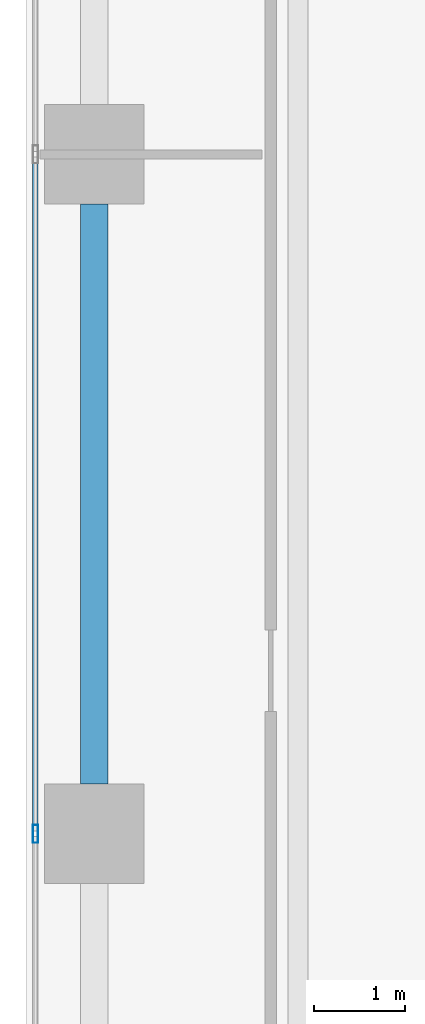
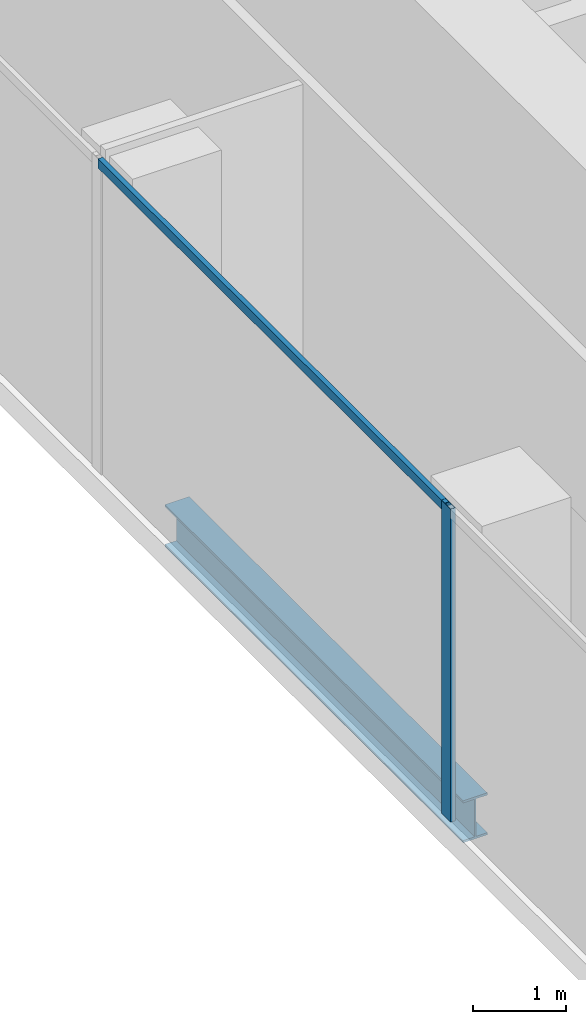
# One storey, part 4 of 34: 2 members, 1 beam, 1 element without a shape of its own.
"""IFC4 building model written with IfcOpenShell, lengths in metres."""

from ifc_helpers import new_model, si_unit, direction, frame, origin, origin_2d, place, context, subcontext, project, spatial, hollow_rectangle, i_section, extrude, source, transform, mapped, material, material_profile, profile_set, type_object, element, aggregate, save


model = new_model("IFC4")

# Units and contexts
model_context = context("Model", 3, precision=1e-05, world=origin(), true_north=direction((0.0, 1.0)))
body_context = subcontext(model_context, "Body", "Model", "MODEL_VIEW")
ifc_project = project(units=[si_unit("LENGTHUNIT", "METRE"), si_unit("AREAUNIT", "SQUARE_METRE"), si_unit("VOLUMEUNIT", "CUBIC_METRE"), si_unit("PLANEANGLEUNIT", "RADIAN"), si_unit("MASSUNIT", "GRAM", prefix="KILO")], contexts=[model_context])

# Site, building, storey
site_placement = place(None, origin())
site = spatial("IfcSite", under=ifc_project, at=site_placement, CompositionType="ELEMENT")
building_placement = place(site_placement, origin())
building = spatial("IfcBuilding", under=site, at=building_placement, Name="Khomas Fold Tower", CompositionType="ELEMENT")
storey_placement = place(building_placement, frame((0.0, 0.0, 110.300048828125)))
storey = spatial("IfcBuildingStorey", under=building, at=storey_placement, Name="L23", CompositionType="ELEMENT", Elevation=110.300048828125)

# Beam
ifc_material_1 = material(Name="Steel S355", Category="steel")
ifc_material_profile_1 = material_profile(ifc_material_1, i_section(OverallWidth=0.300048828125, OverallDepth=0.550048828125, WebThickness=0.014892578125, FlangeThickness=0.029052734375, at=origin_2d()), Name="HE 550 B")
ifc_profile_set_1 = profile_set([ifc_material_profile_1], Name="Steel S355")
beam_type = type_object("IfcBeamType", Name="HE 550 B spandrel SB2", PredefinedType="SPANDREL", material=ifc_profile_set_1)
shared_shape_1 = source(origin(), body_context, "Body", "SweptSolid", [
    extrude(i_section(OverallWidth=0.300048828125, OverallDepth=0.550048828125, WebThickness=0.014892578125, FlangeThickness=0.029052734375, at=origin_2d()), origin(), (0.0, 0.0, 1.0), 6.39990234375),
])
beam_placement = place(storey_placement, frame((2.25, 12.550048828125, -0.574951171875), z_axis=(0.0, 1.0, 0.0), x_axis=(-1.0, 0.0, 0.0)))
element("IfcBeam", 1, at=beam_placement, inside=storey, type_object=beam_type, Name="SB2", PredefinedType="SPANDREL", context=body_context, shape_type="MappedRepresentation", body=[
    mapped(shared_shape_1, transform((0.0, 0.0, 0.0))),
])

# Curtain wall, members
ifc_material_2 = material(Name="Aluminium framed double glazing", Category="aluminium")
curtain_wall_type = type_object("IfcCurtainWallType", Name="SK-Unitised clear-glass wall, growing floors CW1", PredefinedType="NOTDEFINED", material=ifc_material_2)
curtain_wall_placement = place(storey_placement, origin())
curtain_wall = element("IfcCurtainWall", 2, at=curtain_wall_placement, inside=storey, type_object=curtain_wall_type, Name="CW1 run L23 09-0", PredefinedType="NOTDEFINED")
ifc_material_3 = material(Name="Aluminium", Category="aluminium")
ifc_material_profile_2 = material_profile(ifc_material_3, hollow_rectangle(XDim=0.06005859375, YDim=0.1201171875, WallThickness=0.00390625, at=origin_2d()), Name="SK-Unitised clear-glass wall, growing floors transom CW1-T")
ifc_profile_set_2 = profile_set([ifc_material_profile_2], Name="Aluminium")
member_type_1 = type_object("IfcMemberType", Name="SK-Unitised clear-glass wall, growing floors transom CW1-T", PredefinedType="USERDEFINED", material=ifc_profile_set_2)
shared_shape_2 = source(origin(), body_context, "Body", "SweptSolid", [
    extrude(hollow_rectangle(XDim=0.06005859375, YDim=0.1201171875, WallThickness=0.00390625, at=origin_2d()), origin(), (0.0, 0.0, 1.0), 7.43994140625),
])
member_1_placement = place(storey_placement, frame((1.60009765625, 19.469970703125, 4.0400390625), z_axis=(0.0, -1.0, 0.0), x_axis=(1.0, 0.0, 0.0)))
member_1 = element("IfcMember", 3, at=member_1_placement, type_object=member_type_1, Name="CW1 transom 6", ObjectType="TRANSOM", PredefinedType="USERDEFINED", context=body_context, shape_type="MappedRepresentation", body=[
    mapped(shared_shape_2, transform((0.0, 0.0, 0.0))),
])
ifc_material_4 = material(Name="Aluminium", Category="aluminium")
ifc_material_profile_3 = material_profile(ifc_material_4, hollow_rectangle(XDim=0.06005859375, YDim=0.199951171875, WallThickness=0.00390625, at=origin_2d()), Name="SK-Unitised clear-glass wall, growing floors mullion CW1-M")
ifc_profile_set_3 = profile_set([ifc_material_profile_3], Name="Aluminium")
member_type_2 = type_object("IfcMemberType", Name="SK-Unitised clear-glass wall, growing floors mullion CW1-M", PredefinedType="MULLION", material=ifc_profile_set_3)
shared_shape_3 = source(origin(), body_context, "Body", "SweptSolid", [
    extrude(hollow_rectangle(XDim=0.06005859375, YDim=0.199951171875, WallThickness=0.00390625, at=origin_2d()), origin(), (0.0, 0.0, 1.0), 4.099853515625),
])
member_2_placement = place(storey_placement, frame((1.60009765625, 12.0, 0.0), z_axis=(0.0, 0.0, 1.0), x_axis=(1.0, 0.0, 0.0)))
member_2 = element("IfcMember", 4, at=member_2_placement, type_object=member_type_2, Name="CW1 mullion 7", PredefinedType="MULLION", context=body_context, shape_type="MappedRepresentation", body=[
    mapped(shared_shape_3, transform((0.0, 0.0, 0.0))),
])
aggregate(curtain_wall, [member_2, member_1])

save(model, "model.ifc")
